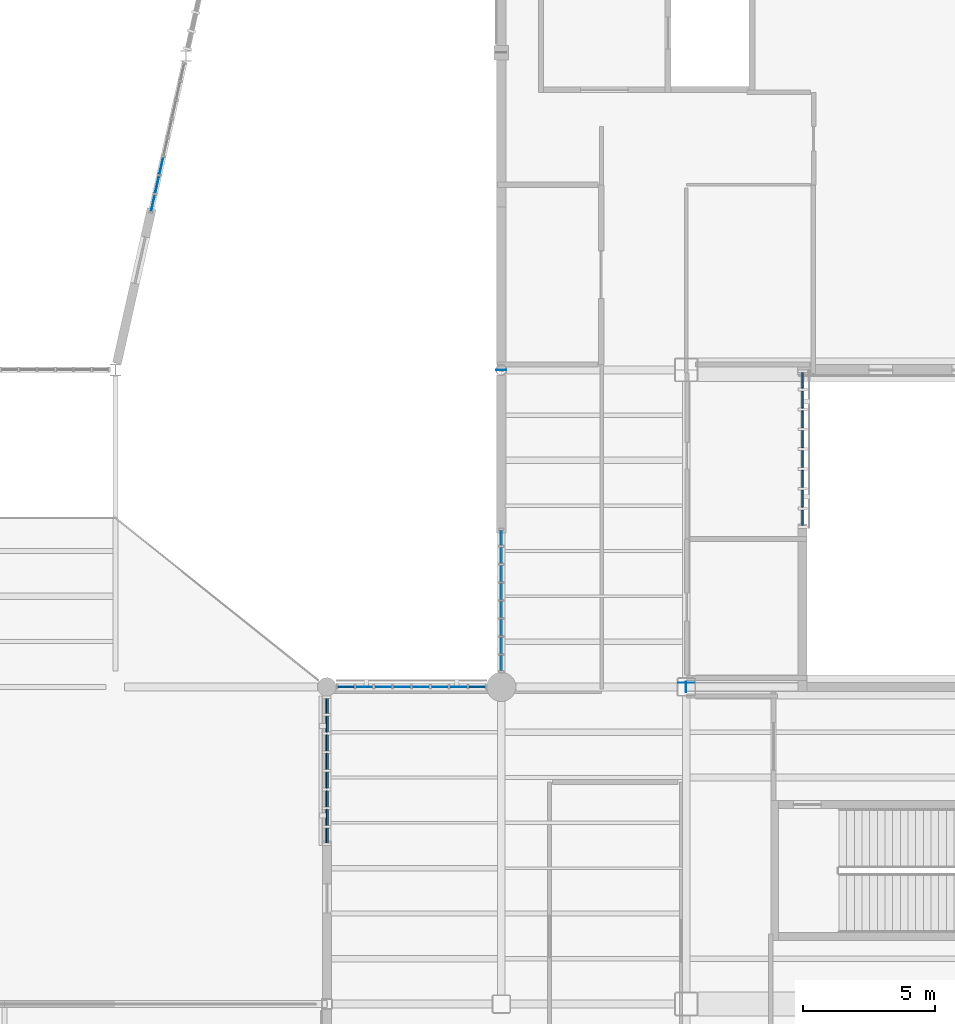
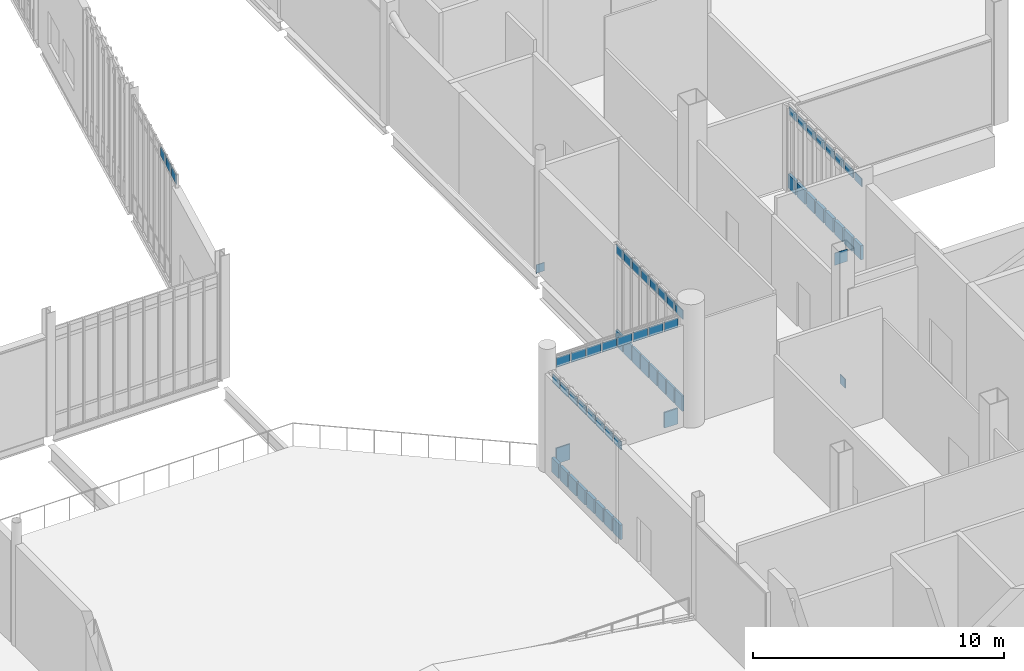
# One storey, part 92 of 135: 64 plates, 5 elements without a shape of their own.
"""IFC4 building model written with IfcOpenShell, lengths in metres."""

from ifc_helpers import new_model, si_unit, direction, frame, origin, origin_2d, place, context, subcontext, project, spatial, rectangle, extrude, material, layer, layer_set, type_object, element, aggregate, save


model = new_model("IFC4")

# Units and contexts
model_context = context("Model", 3, precision=1e-05, world=origin(), true_north=direction((0.0, 1.0)))
body_context = subcontext(model_context, "Body", "Model", "MODEL_VIEW")
ifc_project = project(units=[si_unit("LENGTHUNIT", "METRE"), si_unit("AREAUNIT", "SQUARE_METRE"), si_unit("VOLUMEUNIT", "CUBIC_METRE"), si_unit("PLANEANGLEUNIT", "RADIAN"), si_unit("MASSUNIT", "GRAM", prefix="KILO")], contexts=[model_context])

# Site, building, storey
site_placement = place(None, origin())
site = spatial("IfcSite", under=ifc_project, at=site_placement, CompositionType="ELEMENT")
building_placement = place(site_placement, origin())
building = spatial("IfcBuilding", under=site, at=building_placement, Name="Larkvane Passage Sports Hall", CompositionType="ELEMENT")
storey_placement = place(building_placement, frame((0.0, 0.0, 10.800048828125)))
storey = spatial("IfcBuildingStorey", under=building, at=storey_placement, Name="L02", CompositionType="ELEMENT", Elevation=10.800048828125)

# Curtain wall, plates
ifc_material_1 = material(Name="Thermally broken aluminium and low-E glazing", Category="aluminium")
curtain_wall_type_1 = type_object("IfcCurtainWallType", Name="CW-CLINIC", PredefinedType="USERDEFINED", material=ifc_material_1)
curtain_wall_1_placement = place(storey_placement, origin())
curtain_wall_1 = element("IfcCurtainWall", 1, at=curtain_wall_1_placement, inside=storey, type_object=curtain_wall_type_1, Name="Curtain wall CW5-L02-071", ObjectType="UNITISED CURTAIN WALL", PredefinedType="USERDEFINED")
ifc_material_2 = material(Name="Deep insulated facade spandrel panel")
ifc_layer_1 = layer(ifc_material_2, 0.125)
ifc_layer_set_1 = layer_set([ifc_layer_1], Name="Deep insulated facade spandrel panel")
plate_type_1 = type_object("IfcPlateType", Name="CWP-SPD-125", PredefinedType="CURTAIN_PANEL", material=ifc_layer_set_1)
plate_1_placement = place(storey_placement, frame((136.0, 63.197509765625, 0.10986328125), z_axis=(0.0, 0.0, 1.0), x_axis=(0.0, -1.0, 0.0)))
plate_1 = element("IfcPlate", 2, at=plate_1_placement, type_object=plate_type_1, Name="CW-05 panel 1.1", PredefinedType="CURTAIN_PANEL", context=body_context, shape_type="SweptSolid", body=[
    extrude(rectangle(XDim=0.5849609375, YDim=0.125, at=origin_2d()), origin(), (0.0, 0.0, 1.0), 0.68505859375),
])
plate_2_placement = place(storey_placement, frame((136.0, 62.47509765625, 0.10986328125), z_axis=(0.0, 0.0, 1.0), x_axis=(0.0, -1.0, 0.0)))
plate_2 = element("IfcPlate", 3, at=plate_2_placement, type_object=plate_type_1, Name="CW-05 panel 2.1", PredefinedType="CURTAIN_PANEL", context=body_context, shape_type="SweptSolid", body=[
    extrude(rectangle(XDim=0.639892578125, YDim=0.125, at=origin_2d()), origin(), (0.0, 0.0, 1.0), 0.68505859375),
])
plate_3_placement = place(storey_placement, frame((136.0, 61.72509765625, 0.10986328125), z_axis=(0.0, 0.0, 1.0), x_axis=(0.0, -1.0, 0.0)))
plate_3 = element("IfcPlate", 4, at=plate_3_placement, type_object=plate_type_1, Name="CW-05 panel 3.1", PredefinedType="CURTAIN_PANEL", context=body_context, shape_type="SweptSolid", body=[
    extrude(rectangle(XDim=0.639892578125, YDim=0.125, at=origin_2d()), origin(), (0.0, 0.0, 1.0), 0.68505859375),
])
plate_4_placement = place(storey_placement, frame((136.0, 60.97509765625, 0.10986328125), z_axis=(0.0, 0.0, 1.0), x_axis=(0.0, -1.0, 0.0)))
plate_4 = element("IfcPlate", 5, at=plate_4_placement, type_object=plate_type_1, Name="CW-05 panel 4.1", PredefinedType="CURTAIN_PANEL", context=body_context, shape_type="SweptSolid", body=[
    extrude(rectangle(XDim=0.639892578125, YDim=0.125, at=origin_2d()), origin(), (0.0, 0.0, 1.0), 0.68505859375),
])
plate_5_placement = place(storey_placement, frame((136.0, 60.22509765625, 0.10986328125), z_axis=(0.0, 0.0, 1.0), x_axis=(0.0, -1.0, 0.0)))
plate_5 = element("IfcPlate", 6, at=plate_5_placement, type_object=plate_type_1, Name="CW-05 panel 5.1", PredefinedType="CURTAIN_PANEL", context=body_context, shape_type="SweptSolid", body=[
    extrude(rectangle(XDim=0.639892578125, YDim=0.125, at=origin_2d()), origin(), (0.0, 0.0, 1.0), 0.68505859375),
])
plate_6_placement = place(storey_placement, frame((136.0, 59.47509765625, 0.10986328125), z_axis=(0.0, 0.0, 1.0), x_axis=(0.0, -1.0, 0.0)))
plate_6 = element("IfcPlate", 7, at=plate_6_placement, type_object=plate_type_1, Name="CW-05 panel 6.1", PredefinedType="CURTAIN_PANEL", context=body_context, shape_type="SweptSolid", body=[
    extrude(rectangle(XDim=0.639892578125, YDim=0.125, at=origin_2d()), origin(), (0.0, 0.0, 1.0), 0.68505859375),
])
plate_7_placement = place(storey_placement, frame((136.0, 58.72509765625, 0.10986328125), z_axis=(0.0, 0.0, 1.0), x_axis=(0.0, -1.0, 0.0)))
plate_7 = element("IfcPlate", 8, at=plate_7_placement, type_object=plate_type_1, Name="CW-05 panel 7.1", PredefinedType="CURTAIN_PANEL", context=body_context, shape_type="SweptSolid", body=[
    extrude(rectangle(XDim=0.639892578125, YDim=0.125, at=origin_2d()), origin(), (0.0, 0.0, 1.0), 0.68505859375),
])
plate_8_placement = place(storey_placement, frame((136.0, 58.00244140625, 0.10986328125), z_axis=(0.0, 0.0, 1.0), x_axis=(0.0, -1.0, 0.0)))
plate_8 = element("IfcPlate", 9, at=plate_8_placement, type_object=plate_type_1, Name="CW-05 panel 8.1", PredefinedType="CURTAIN_PANEL", context=body_context, shape_type="SweptSolid", body=[
    extrude(rectangle(XDim=0.5849609375, YDim=0.125, at=origin_2d()), origin(), (0.0, 0.0, 1.0), 0.68505859375),
])

curtain_wall_2_placement = place(storey_placement, origin())
curtain_wall_2 = element("IfcCurtainWall", 10, at=curtain_wall_2_placement, inside=storey, type_object=curtain_wall_type_1, Name="Curtain wall CW5-L02-075", ObjectType="UNITISED CURTAIN WALL", PredefinedType="USERDEFINED")
plate_9_placement = place(storey_placement, frame((118.0, 45.978271484375, 0.10009765625), z_axis=(0.0, 0.0, 1.0), x_axis=(0.0, 1.0, 0.0)))
plate_9 = element("IfcPlate", 11, at=plate_9_placement, type_object=plate_type_1, Name="CW-05 panel 1.1", PredefinedType="CURTAIN_PANEL", context=body_context, shape_type="SweptSolid", body=[
    extrude(rectangle(XDim=0.556640625, YDim=0.125, at=origin_2d()), origin(), (0.0, 0.0, 1.0), 0.699951171875),
])
plate_10_placement = place(storey_placement, frame((118.0, 46.66015625, 0.10009765625), z_axis=(0.0, 0.0, 1.0), x_axis=(0.0, 1.0, 0.0)))
plate_10 = element("IfcPlate", 12, at=plate_10_placement, type_object=plate_type_1, Name="CW-05 panel 2.1", PredefinedType="CURTAIN_PANEL", context=body_context, shape_type="SweptSolid", body=[
    extrude(rectangle(XDim=0.606689453125, YDim=0.125, at=origin_2d()), origin(), (0.0, 0.0, 1.0), 0.699951171875),
])
plate_11_placement = place(storey_placement, frame((118.0, 47.366943359375, 0.10009765625), z_axis=(0.0, 0.0, 1.0), x_axis=(0.0, 1.0, 0.0)))
plate_11 = element("IfcPlate", 13, at=plate_11_placement, type_object=plate_type_1, Name="CW-05 panel 3.1", PredefinedType="CURTAIN_PANEL", context=body_context, shape_type="SweptSolid", body=[
    extrude(rectangle(XDim=0.606689453125, YDim=0.125, at=origin_2d()), origin(), (0.0, 0.0, 1.0), 0.699951171875),
])
plate_12_placement = place(storey_placement, frame((118.0, 48.07373046875, 0.10009765625), z_axis=(0.0, 0.0, 1.0), x_axis=(0.0, 1.0, 0.0)))
plate_12 = element("IfcPlate", 14, at=plate_12_placement, type_object=plate_type_1, Name="CW-05 panel 4.1", PredefinedType="CURTAIN_PANEL", context=body_context, shape_type="SweptSolid", body=[
    extrude(rectangle(XDim=0.606689453125, YDim=0.125, at=origin_2d()), origin(), (0.0, 0.0, 1.0), 0.699951171875),
])
plate_13_placement = place(storey_placement, frame((118.0, 48.7802734375, 0.10009765625), z_axis=(0.0, 0.0, 1.0), x_axis=(0.0, 1.0, 0.0)))
plate_13 = element("IfcPlate", 15, at=plate_13_placement, type_object=plate_type_1, Name="CW-05 panel 5.1", PredefinedType="CURTAIN_PANEL", context=body_context, shape_type="SweptSolid", body=[
    extrude(rectangle(XDim=0.606689453125, YDim=0.125, at=origin_2d()), origin(), (0.0, 0.0, 1.0), 0.699951171875),
])
plate_14_placement = place(storey_placement, frame((118.0, 49.487060546875, 0.10009765625), z_axis=(0.0, 0.0, 1.0), x_axis=(0.0, 1.0, 0.0)))
plate_14 = element("IfcPlate", 16, at=plate_14_placement, type_object=plate_type_1, Name="CW-05 panel 6.1", PredefinedType="CURTAIN_PANEL", context=body_context, shape_type="SweptSolid", body=[
    extrude(rectangle(XDim=0.606689453125, YDim=0.125, at=origin_2d()), origin(), (0.0, 0.0, 1.0), 0.699951171875),
])
plate_15_placement = place(storey_placement, frame((118.0, 50.19384765625, 0.10009765625), z_axis=(0.0, 0.0, 1.0), x_axis=(0.0, 1.0, 0.0)))
plate_15 = element("IfcPlate", 17, at=plate_15_placement, type_object=plate_type_1, Name="CW-05 panel 7.1", PredefinedType="CURTAIN_PANEL", context=body_context, shape_type="SweptSolid", body=[
    extrude(rectangle(XDim=0.606689453125, YDim=0.125, at=origin_2d()), origin(), (0.0, 0.0, 1.0), 0.699951171875),
])
plate_16_placement = place(storey_placement, frame((118.0, 50.875732421875, 0.10009765625), z_axis=(0.0, 0.0, 1.0), x_axis=(0.0, 1.0, 0.0)))
plate_16 = element("IfcPlate", 18, at=plate_16_placement, type_object=plate_type_1, Name="CW-05 panel 8.1", PredefinedType="CURTAIN_PANEL", context=body_context, shape_type="SweptSolid", body=[
    extrude(rectangle(XDim=0.556640625, YDim=0.125, at=origin_2d()), origin(), (0.0, 0.0, 1.0), 0.699951171875),
])

curtain_wall_type_2 = type_object("IfcCurtainWallType", Name="CW-UNIT-COURT", PredefinedType="USERDEFINED", material=ifc_material_1)
curtain_wall_3_placement = place(storey_placement, origin())
curtain_wall_3 = element("IfcCurtainWall", 19, at=curtain_wall_3_placement, inside=storey, type_object=curtain_wall_type_2, Name="Curtain wall CW5-L02-076", ObjectType="UNITISED CURTAIN WALL", PredefinedType="USERDEFINED")
ifc_material_3 = material(Name="Insulated aluminium spandrel panel", Category="aluminium")
ifc_layer_2 = layer(ifc_material_3, 0.06494140625)
ifc_layer_set_2 = layer_set([ifc_layer_2], Name="Insulated aluminium spandrel panel")
plate_type_2 = type_object("IfcPlateType", Name="CWP-SPD-65", PredefinedType="CURTAIN_PANEL", material=ifc_layer_set_2)
plate_17_placement = place(storey_placement, frame((118.7177734375, 51.60009765625, 0.06005859375), z_axis=(0.0, 0.0, 1.0), x_axis=(1.0, 0.0, 0.0)))
plate_17 = element("IfcPlate", 20, at=plate_17_placement, type_object=plate_type_2, Name="CW-01 panel 1.1", PredefinedType="CURTAIN_PANEL", context=body_context, shape_type="SweptSolid", body=[
    extrude(rectangle(XDim=0.62353515625, YDim=0.06494140625, at=origin_2d()), origin(), (0.0, 0.0, 1.0), 0.760009765625),
])
plate_18_placement = place(storey_placement, frame((123.68212890625, 51.60009765625, 0.06005859375), z_axis=(0.0, 0.0, 1.0), x_axis=(1.0, 0.0, 0.0)))
plate_18 = element("IfcPlate", 21, at=plate_18_placement, type_object=plate_type_2, Name="CW-01 panel 8.1", PredefinedType="CURTAIN_PANEL", context=body_context, shape_type="SweptSolid", body=[
    extrude(rectangle(XDim=0.62353515625, YDim=0.06494140625, at=origin_2d()), origin(), (0.0, 0.0, 1.0), 0.760009765625),
])

curtain_wall_type_3 = type_object("IfcCurtainWallType", Name="CW-UNIT-VEIL", PredefinedType="USERDEFINED", material=ifc_material_1)
curtain_wall_4_placement = place(storey_placement, origin())
curtain_wall_4 = element("IfcCurtainWall", 22, at=curtain_wall_4_placement, inside=storey, type_object=curtain_wall_type_3, Name="Curtain wall CW5-L02-077", ObjectType="UNITISED CURTAIN WALL", PredefinedType="USERDEFINED")
ifc_material_4 = material(Name="Mineral-wool insulated spandrel cassette")
ifc_layer_3 = layer(ifc_material_4, 0.0849609375)
ifc_layer_set_3 = layer_set([ifc_layer_3], Name="Mineral-wool insulated spandrel cassette")
plate_type_3 = type_object("IfcPlateType", Name="CWP-SPD-85", PredefinedType="CURTAIN_PANEL", material=ifc_layer_set_3)
plate_19_placement = place(storey_placement, frame((124.60009765625, 52.50439453125, 0.06982421875), z_axis=(0.0, 0.0, 1.0), x_axis=(0.0, 1.0, 0.0)))
plate_19 = element("IfcPlate", 23, at=plate_19_placement, type_object=plate_type_3, Name="CW-02 panel 1.1", PredefinedType="CURTAIN_PANEL", context=body_context, shape_type="SweptSolid", body=[
    extrude(rectangle(XDim=0.57666015625, YDim=0.0849609375, at=origin_2d()), origin(), (0.0, 0.0, 1.0), 0.7451171875),
])
plate_20_placement = place(storey_placement, frame((124.60009765625, 53.168701171875, 0.06982421875), z_axis=(0.0, 0.0, 1.0), x_axis=(0.0, 1.0, 0.0)))
plate_20 = element("IfcPlate", 24, at=plate_20_placement, type_object=plate_type_3, Name="CW-02 panel 2.1", PredefinedType="CURTAIN_PANEL", context=body_context, shape_type="SweptSolid", body=[
    extrude(rectangle(XDim=0.61181640625, YDim=0.0849609375, at=origin_2d()), origin(), (0.0, 0.0, 1.0), 0.7451171875),
])
plate_21_placement = place(storey_placement, frame((124.60009765625, 53.850341796875, 0.06982421875), z_axis=(0.0, 0.0, 1.0), x_axis=(0.0, 1.0, 0.0)))
plate_21 = element("IfcPlate", 25, at=plate_21_placement, type_object=plate_type_3, Name="CW-02 panel 3.1", PredefinedType="CURTAIN_PANEL", context=body_context, shape_type="SweptSolid", body=[
    extrude(rectangle(XDim=0.61181640625, YDim=0.0849609375, at=origin_2d()), origin(), (0.0, 0.0, 1.0), 0.7451171875),
])
plate_22_placement = place(storey_placement, frame((124.60009765625, 54.5322265625, 0.06982421875), z_axis=(0.0, 0.0, 1.0), x_axis=(0.0, 1.0, 0.0)))
plate_22 = element("IfcPlate", 26, at=plate_22_placement, type_object=plate_type_3, Name="CW-02 panel 4.1", PredefinedType="CURTAIN_PANEL", context=body_context, shape_type="SweptSolid", body=[
    extrude(rectangle(XDim=0.61181640625, YDim=0.0849609375, at=origin_2d()), origin(), (0.0, 0.0, 1.0), 0.7451171875),
])
plate_23_placement = place(storey_placement, frame((124.60009765625, 55.2138671875, 0.06982421875), z_axis=(0.0, 0.0, 1.0), x_axis=(0.0, 1.0, 0.0)))
plate_23 = element("IfcPlate", 27, at=plate_23_placement, type_object=plate_type_3, Name="CW-02 panel 5.1", PredefinedType="CURTAIN_PANEL", context=body_context, shape_type="SweptSolid", body=[
    extrude(rectangle(XDim=0.61181640625, YDim=0.0849609375, at=origin_2d()), origin(), (0.0, 0.0, 1.0), 0.7451171875),
])
plate_24_placement = place(storey_placement, frame((124.60009765625, 55.8955078125, 0.06982421875), z_axis=(0.0, 0.0, 1.0), x_axis=(0.0, 1.0, 0.0)))
plate_24 = element("IfcPlate", 28, at=plate_24_placement, type_object=plate_type_3, Name="CW-02 panel 6.1", PredefinedType="CURTAIN_PANEL", context=body_context, shape_type="SweptSolid", body=[
    extrude(rectangle(XDim=0.61181640625, YDim=0.0849609375, at=origin_2d()), origin(), (0.0, 0.0, 1.0), 0.7451171875),
])
plate_25_placement = place(storey_placement, frame((124.60009765625, 56.577392578125, 0.06982421875), z_axis=(0.0, 0.0, 1.0), x_axis=(0.0, 1.0, 0.0)))
plate_25 = element("IfcPlate", 29, at=plate_25_placement, type_object=plate_type_3, Name="CW-02 panel 7.1", PredefinedType="CURTAIN_PANEL", context=body_context, shape_type="SweptSolid", body=[
    extrude(rectangle(XDim=0.61181640625, YDim=0.0849609375, at=origin_2d()), origin(), (0.0, 0.0, 1.0), 0.7451171875),
])
plate_26_placement = place(storey_placement, frame((124.60009765625, 57.24169921875, 0.06982421875), z_axis=(0.0, 0.0, 1.0), x_axis=(0.0, 1.0, 0.0)))
plate_26 = element("IfcPlate", 30, at=plate_26_placement, type_object=plate_type_3, Name="CW-02 panel 8.1", PredefinedType="CURTAIN_PANEL", context=body_context, shape_type="SweptSolid", body=[
    extrude(rectangle(XDim=0.57666015625, YDim=0.0849609375, at=origin_2d()), origin(), (0.0, 0.0, 1.0), 0.7451171875),
])

# Plate
ifc_material_5 = material(Name="Solar-control low-E double glazing", Category="glass")
ifc_layer_4 = layer(ifc_material_5, 0.028076171875)
ifc_layer_set_4 = layer_set([ifc_layer_4], Name="Solar-control low-E double glazing")
plate_type_4 = type_object("IfcPlateType", Name="CWP-VIS-28", PredefinedType="CURTAIN_PANEL", material=ifc_layer_set_4)
plate_27_placement = place(storey_placement, frame((118.7177734375, 51.60009765625, 4.738037109375), z_axis=(0.0, 0.0, 1.0), x_axis=(1.0, 0.0, 0.0)))
plate_27 = element("IfcPlate", 31, at=plate_27_placement, type_object=plate_type_4, Name="CW-01 panel 1.3", PredefinedType="CURTAIN_PANEL", context=body_context, shape_type="SweptSolid", body=[
    extrude(rectangle(XDim=0.62353515625, YDim=0.028076171875, at=origin_2d()), origin(), (0.0, 0.0, 1.0), 0.4599609375),
])

plate_28_placement = place(storey_placement, frame((119.416259765625, 51.60009765625, 4.738037109375), z_axis=(0.0, 0.0, 1.0), x_axis=(1.0, 0.0, 0.0)))
plate_28 = element("IfcPlate", 32, at=plate_28_placement, type_object=plate_type_4, Name="CW-01 panel 2.3", PredefinedType="CURTAIN_PANEL", context=body_context, shape_type="SweptSolid", body=[
    extrude(rectangle(XDim=0.653564453125, YDim=0.028076171875, at=origin_2d()), origin(), (0.0, 0.0, 1.0), 0.4599609375),
])

plate_29_placement = place(storey_placement, frame((120.129638671875, 51.60009765625, 4.738037109375), z_axis=(0.0, 0.0, 1.0), x_axis=(1.0, 0.0, 0.0)))
plate_29 = element("IfcPlate", 33, at=plate_29_placement, type_object=plate_type_4, Name="CW-01 panel 3.3", PredefinedType="CURTAIN_PANEL", context=body_context, shape_type="SweptSolid", body=[
    extrude(rectangle(XDim=0.653564453125, YDim=0.028076171875, at=origin_2d()), origin(), (0.0, 0.0, 1.0), 0.4599609375),
])

plate_30_placement = place(storey_placement, frame((120.84326171875, 51.60009765625, 4.738037109375), z_axis=(0.0, 0.0, 1.0), x_axis=(1.0, 0.0, 0.0)))
plate_30 = element("IfcPlate", 34, at=plate_30_placement, type_object=plate_type_4, Name="CW-01 panel 4.3", PredefinedType="CURTAIN_PANEL", context=body_context, shape_type="SweptSolid", body=[
    extrude(rectangle(XDim=0.653564453125, YDim=0.028076171875, at=origin_2d()), origin(), (0.0, 0.0, 1.0), 0.4599609375),
])

plate_31_placement = place(storey_placement, frame((121.556640625, 51.60009765625, 4.738037109375), z_axis=(0.0, 0.0, 1.0), x_axis=(1.0, 0.0, 0.0)))
plate_31 = element("IfcPlate", 35, at=plate_31_placement, type_object=plate_type_4, Name="CW-01 panel 5.3", PredefinedType="CURTAIN_PANEL", context=body_context, shape_type="SweptSolid", body=[
    extrude(rectangle(XDim=0.653564453125, YDim=0.028076171875, at=origin_2d()), origin(), (0.0, 0.0, 1.0), 0.4599609375),
])

plate_32_placement = place(storey_placement, frame((122.270263671875, 51.60009765625, 4.738037109375), z_axis=(0.0, 0.0, 1.0), x_axis=(1.0, 0.0, 0.0)))
plate_32 = element("IfcPlate", 36, at=plate_32_placement, type_object=plate_type_4, Name="CW-01 panel 6.3", PredefinedType="CURTAIN_PANEL", context=body_context, shape_type="SweptSolid", body=[
    extrude(rectangle(XDim=0.653564453125, YDim=0.028076171875, at=origin_2d()), origin(), (0.0, 0.0, 1.0), 0.4599609375),
])

plate_33_placement = place(storey_placement, frame((122.983642578125, 51.60009765625, 4.738037109375), z_axis=(0.0, 0.0, 1.0), x_axis=(1.0, 0.0, 0.0)))
plate_33 = element("IfcPlate", 37, at=plate_33_placement, type_object=plate_type_4, Name="CW-01 panel 7.3", PredefinedType="CURTAIN_PANEL", context=body_context, shape_type="SweptSolid", body=[
    extrude(rectangle(XDim=0.653564453125, YDim=0.028076171875, at=origin_2d()), origin(), (0.0, 0.0, 1.0), 0.4599609375),
])

plate_34_placement = place(storey_placement, frame((123.68212890625, 51.60009765625, 4.738037109375), z_axis=(0.0, 0.0, 1.0), x_axis=(1.0, 0.0, 0.0)))
plate_34 = element("IfcPlate", 38, at=plate_34_placement, type_object=plate_type_4, Name="CW-01 panel 8.3", PredefinedType="CURTAIN_PANEL", context=body_context, shape_type="SweptSolid", body=[
    extrude(rectangle(XDim=0.62353515625, YDim=0.028076171875, at=origin_2d()), origin(), (0.0, 0.0, 1.0), 0.4599609375),
])

aggregate(curtain_wall_3, [plate_17, plate_27, plate_28, plate_29, plate_30, plate_31, plate_32, plate_33, plate_18, plate_34])

# Curtain wall, plates
curtain_wall_5_placement = place(storey_placement, origin())
curtain_wall_5 = element("IfcCurtainWall", 39, at=curtain_wall_5_placement, inside=storey, type_object=curtain_wall_type_2, Name="Curtain wall CW5-L02-084", ObjectType="UNITISED CURTAIN WALL", PredefinedType="USERDEFINED")
plate_35_placement = place(storey_placement, frame((111.734375, 71.318359375, 5.179931640625), z_axis=(0.0, 0.0, 1.0), x_axis=(-0.219243647747, -0.975670140428, 0.0)))
plate_35 = element("IfcPlate", 40, at=plate_35_placement, type_object=plate_type_4, Name="CW-01 panel 6.3", PredefinedType="CURTAIN_PANEL", context=body_context, shape_type="SweptSolid", body=[
    extrude(rectangle(XDim=0.671142578125, YDim=0.028076171875, at=origin_2d()), origin(), (0.0, 0.0, 1.0), 0.4599609375),
])
plate_36_placement = place(storey_placement, frame((111.57421875, 70.605224609375, 5.179931640625), z_axis=(0.0, 0.0, 1.0), x_axis=(-0.219243647747, -0.975670140428, 0.0)))
plate_36 = element("IfcPlate", 41, at=plate_36_placement, type_object=plate_type_4, Name="CW-01 panel 7.3", PredefinedType="CURTAIN_PANEL", context=body_context, shape_type="SweptSolid", body=[
    extrude(rectangle(XDim=0.671142578125, YDim=0.028076171875, at=origin_2d()), origin(), (0.0, 0.0, 1.0), 0.4599609375),
])
plate_37_placement = place(storey_placement, frame((111.417236328125, 69.906494140625, 5.179931640625), z_axis=(0.0, 0.0, 1.0), x_axis=(-0.219243647747, -0.975670140428, 0.0)))
plate_37 = element("IfcPlate", 42, at=plate_37_placement, type_object=plate_type_4, Name="CW-01 panel 8.3", PredefinedType="CURTAIN_PANEL", context=body_context, shape_type="SweptSolid", body=[
    extrude(rectangle(XDim=0.64111328125, YDim=0.028076171875, at=origin_2d()), origin(), (0.0, 0.0, 1.0), 0.4599609375),
])
aggregate(curtain_wall_5, [plate_35, plate_36, plate_37])

# Plate
ifc_material_6 = material(Name="Laminated acoustic low-E glazing", Category="glass")
ifc_layer_5 = layer(ifc_material_6, 0.031982421875)
ifc_layer_set_5 = layer_set([ifc_layer_5], Name="Laminated acoustic low-E glazing")
plate_type_5 = type_object("IfcPlateType", Name="CWP-VIS-32", PredefinedType="CURTAIN_PANEL", material=ifc_layer_set_5)
plate_38_placement = place(storey_placement, frame((124.60009765625, 52.50439453125, 4.53271484375), z_axis=(0.0, 0.0, 1.0), x_axis=(0.0, 1.0, 0.0)))
plate_38 = element("IfcPlate", 43, at=plate_38_placement, type_object=plate_type_5, Name="CW-02 panel 1.3", PredefinedType="CURTAIN_PANEL", context=body_context, shape_type="SweptSolid", body=[
    extrude(rectangle(XDim=0.57666015625, YDim=0.031982421875, at=origin_2d()), origin(), (0.0, 0.0, 1.0), 0.445068359375),
])

plate_39_placement = place(storey_placement, frame((124.60009765625, 53.168701171875, 4.53271484375), z_axis=(0.0, 0.0, 1.0), x_axis=(0.0, 1.0, 0.0)))
plate_39 = element("IfcPlate", 44, at=plate_39_placement, type_object=plate_type_5, Name="CW-02 panel 2.3", PredefinedType="CURTAIN_PANEL", context=body_context, shape_type="SweptSolid", body=[
    extrude(rectangle(XDim=0.61181640625, YDim=0.031982421875, at=origin_2d()), origin(), (0.0, 0.0, 1.0), 0.445068359375),
])

plate_40_placement = place(storey_placement, frame((124.60009765625, 53.850341796875, 4.53271484375), z_axis=(0.0, 0.0, 1.0), x_axis=(0.0, 1.0, 0.0)))
plate_40 = element("IfcPlate", 45, at=plate_40_placement, type_object=plate_type_5, Name="CW-02 panel 3.3", PredefinedType="CURTAIN_PANEL", context=body_context, shape_type="SweptSolid", body=[
    extrude(rectangle(XDim=0.61181640625, YDim=0.031982421875, at=origin_2d()), origin(), (0.0, 0.0, 1.0), 0.445068359375),
])

plate_41_placement = place(storey_placement, frame((124.60009765625, 54.5322265625, 4.53271484375), z_axis=(0.0, 0.0, 1.0), x_axis=(0.0, 1.0, 0.0)))
plate_41 = element("IfcPlate", 46, at=plate_41_placement, type_object=plate_type_5, Name="CW-02 panel 4.3", PredefinedType="CURTAIN_PANEL", context=body_context, shape_type="SweptSolid", body=[
    extrude(rectangle(XDim=0.61181640625, YDim=0.031982421875, at=origin_2d()), origin(), (0.0, 0.0, 1.0), 0.445068359375),
])

plate_42_placement = place(storey_placement, frame((124.60009765625, 55.2138671875, 4.53271484375), z_axis=(0.0, 0.0, 1.0), x_axis=(0.0, 1.0, 0.0)))
plate_42 = element("IfcPlate", 47, at=plate_42_placement, type_object=plate_type_5, Name="CW-02 panel 5.3", PredefinedType="CURTAIN_PANEL", context=body_context, shape_type="SweptSolid", body=[
    extrude(rectangle(XDim=0.61181640625, YDim=0.031982421875, at=origin_2d()), origin(), (0.0, 0.0, 1.0), 0.445068359375),
])

plate_43_placement = place(storey_placement, frame((124.60009765625, 55.8955078125, 4.53271484375), z_axis=(0.0, 0.0, 1.0), x_axis=(0.0, 1.0, 0.0)))
plate_43 = element("IfcPlate", 48, at=plate_43_placement, type_object=plate_type_5, Name="CW-02 panel 6.3", PredefinedType="CURTAIN_PANEL", context=body_context, shape_type="SweptSolid", body=[
    extrude(rectangle(XDim=0.61181640625, YDim=0.031982421875, at=origin_2d()), origin(), (0.0, 0.0, 1.0), 0.445068359375),
])

plate_44_placement = place(storey_placement, frame((124.60009765625, 56.577392578125, 4.53271484375), z_axis=(0.0, 0.0, 1.0), x_axis=(0.0, 1.0, 0.0)))
plate_44 = element("IfcPlate", 49, at=plate_44_placement, type_object=plate_type_5, Name="CW-02 panel 7.3", PredefinedType="CURTAIN_PANEL", context=body_context, shape_type="SweptSolid", body=[
    extrude(rectangle(XDim=0.61181640625, YDim=0.031982421875, at=origin_2d()), origin(), (0.0, 0.0, 1.0), 0.445068359375),
])

plate_45_placement = place(storey_placement, frame((124.60009765625, 57.24169921875, 4.53271484375), z_axis=(0.0, 0.0, 1.0), x_axis=(0.0, 1.0, 0.0)))
plate_45 = element("IfcPlate", 50, at=plate_45_placement, type_object=plate_type_5, Name="CW-02 panel 8.3", PredefinedType="CURTAIN_PANEL", context=body_context, shape_type="SweptSolid", body=[
    extrude(rectangle(XDim=0.57666015625, YDim=0.031982421875, at=origin_2d()), origin(), (0.0, 0.0, 1.0), 0.445068359375),
])

aggregate(curtain_wall_4, [plate_19, plate_38, plate_20, plate_39, plate_21, plate_40, plate_22, plate_41, plate_23, plate_42, plate_24, plate_43, plate_25, plate_44, plate_26, plate_45])

ifc_material_7 = material(Name="Triple-laminated typhoon glazing", Category="glass")
ifc_layer_6 = layer(ifc_material_7, 0.0419921875)
ifc_layer_set_6 = layer_set([ifc_layer_6], Name="Triple-laminated typhoon glazing")
plate_type_6 = type_object("IfcPlateType", Name="CWP-VIS-42", PredefinedType="CURTAIN_PANEL", material=ifc_layer_set_6)
plate_46_placement = place(storey_placement, frame((136.0, 63.197509765625, 3.65283203125), z_axis=(0.0, 0.0, 1.0), x_axis=(0.0, -1.0, 0.0)))
plate_46 = element("IfcPlate", 51, at=plate_46_placement, type_object=plate_type_6, Name="CW-05 panel 1.3", PredefinedType="CURTAIN_PANEL", context=body_context, shape_type="SweptSolid", body=[
    extrude(rectangle(XDim=0.5849609375, YDim=0.0419921875, at=origin_2d()), origin(), (0.0, 0.0, 1.0), 0.385009765625),
])

plate_47_placement = place(storey_placement, frame((136.0, 62.47509765625, 3.65283203125), z_axis=(0.0, 0.0, 1.0), x_axis=(0.0, -1.0, 0.0)))
plate_47 = element("IfcPlate", 52, at=plate_47_placement, type_object=plate_type_6, Name="CW-05 panel 2.3", PredefinedType="CURTAIN_PANEL", context=body_context, shape_type="SweptSolid", body=[
    extrude(rectangle(XDim=0.639892578125, YDim=0.0419921875, at=origin_2d()), origin(), (0.0, 0.0, 1.0), 0.385009765625),
])

plate_48_placement = place(storey_placement, frame((136.0, 61.72509765625, 3.65283203125), z_axis=(0.0, 0.0, 1.0), x_axis=(0.0, -1.0, 0.0)))
plate_48 = element("IfcPlate", 53, at=plate_48_placement, type_object=plate_type_6, Name="CW-05 panel 3.3", PredefinedType="CURTAIN_PANEL", context=body_context, shape_type="SweptSolid", body=[
    extrude(rectangle(XDim=0.639892578125, YDim=0.0419921875, at=origin_2d()), origin(), (0.0, 0.0, 1.0), 0.385009765625),
])

plate_49_placement = place(storey_placement, frame((136.0, 60.97509765625, 3.65283203125), z_axis=(0.0, 0.0, 1.0), x_axis=(0.0, -1.0, 0.0)))
plate_49 = element("IfcPlate", 54, at=plate_49_placement, type_object=plate_type_6, Name="CW-05 panel 4.3", PredefinedType="CURTAIN_PANEL", context=body_context, shape_type="SweptSolid", body=[
    extrude(rectangle(XDim=0.639892578125, YDim=0.0419921875, at=origin_2d()), origin(), (0.0, 0.0, 1.0), 0.385009765625),
])

plate_50_placement = place(storey_placement, frame((136.0, 60.22509765625, 3.65283203125), z_axis=(0.0, 0.0, 1.0), x_axis=(0.0, -1.0, 0.0)))
plate_50 = element("IfcPlate", 55, at=plate_50_placement, type_object=plate_type_6, Name="CW-05 panel 5.3", PredefinedType="CURTAIN_PANEL", context=body_context, shape_type="SweptSolid", body=[
    extrude(rectangle(XDim=0.639892578125, YDim=0.0419921875, at=origin_2d()), origin(), (0.0, 0.0, 1.0), 0.385009765625),
])

plate_51_placement = place(storey_placement, frame((136.0, 59.47509765625, 3.65283203125), z_axis=(0.0, 0.0, 1.0), x_axis=(0.0, -1.0, 0.0)))
plate_51 = element("IfcPlate", 56, at=plate_51_placement, type_object=plate_type_6, Name="CW-05 panel 6.3", PredefinedType="CURTAIN_PANEL", context=body_context, shape_type="SweptSolid", body=[
    extrude(rectangle(XDim=0.639892578125, YDim=0.0419921875, at=origin_2d()), origin(), (0.0, 0.0, 1.0), 0.385009765625),
])

plate_52_placement = place(storey_placement, frame((136.0, 58.72509765625, 3.65283203125), z_axis=(0.0, 0.0, 1.0), x_axis=(0.0, -1.0, 0.0)))
plate_52 = element("IfcPlate", 57, at=plate_52_placement, type_object=plate_type_6, Name="CW-05 panel 7.3", PredefinedType="CURTAIN_PANEL", context=body_context, shape_type="SweptSolid", body=[
    extrude(rectangle(XDim=0.639892578125, YDim=0.0419921875, at=origin_2d()), origin(), (0.0, 0.0, 1.0), 0.385009765625),
])

plate_53_placement = place(storey_placement, frame((136.0, 58.00244140625, 3.65283203125), z_axis=(0.0, 0.0, 1.0), x_axis=(0.0, -1.0, 0.0)))
plate_53 = element("IfcPlate", 58, at=plate_53_placement, type_object=plate_type_6, Name="CW-05 panel 8.3", PredefinedType="CURTAIN_PANEL", context=body_context, shape_type="SweptSolid", body=[
    extrude(rectangle(XDim=0.5849609375, YDim=0.0419921875, at=origin_2d()), origin(), (0.0, 0.0, 1.0), 0.385009765625),
])

aggregate(curtain_wall_1, [plate_1, plate_46, plate_2, plate_47, plate_3, plate_48, plate_4, plate_49, plate_5, plate_50, plate_6, plate_51, plate_7, plate_52, plate_8, plate_53])

plate_54_placement = place(storey_placement, frame((118.0, 45.978271484375, 4.447998046875), z_axis=(0.0, 0.0, 1.0), x_axis=(0.0, 1.0, 0.0)))
plate_54 = element("IfcPlate", 59, at=plate_54_placement, type_object=plate_type_6, Name="CW-05 panel 1.3", PredefinedType="CURTAIN_PANEL", context=body_context, shape_type="SweptSolid", body=[
    extrude(rectangle(XDim=0.556640625, YDim=0.0419921875, at=origin_2d()), origin(), (0.0, 0.0, 1.0), 0.39990234375),
])

plate_55_placement = place(storey_placement, frame((118.0, 46.66015625, 4.447998046875), z_axis=(0.0, 0.0, 1.0), x_axis=(0.0, 1.0, 0.0)))
plate_55 = element("IfcPlate", 60, at=plate_55_placement, type_object=plate_type_6, Name="CW-05 panel 2.3", PredefinedType="CURTAIN_PANEL", context=body_context, shape_type="SweptSolid", body=[
    extrude(rectangle(XDim=0.606689453125, YDim=0.0419921875, at=origin_2d()), origin(), (0.0, 0.0, 1.0), 0.39990234375),
])

plate_56_placement = place(storey_placement, frame((118.0, 47.366943359375, 4.447998046875), z_axis=(0.0, 0.0, 1.0), x_axis=(0.0, 1.0, 0.0)))
plate_56 = element("IfcPlate", 61, at=plate_56_placement, type_object=plate_type_6, Name="CW-05 panel 3.3", PredefinedType="CURTAIN_PANEL", context=body_context, shape_type="SweptSolid", body=[
    extrude(rectangle(XDim=0.606689453125, YDim=0.0419921875, at=origin_2d()), origin(), (0.0, 0.0, 1.0), 0.39990234375),
])

plate_57_placement = place(storey_placement, frame((118.0, 48.07373046875, 4.447998046875), z_axis=(0.0, 0.0, 1.0), x_axis=(0.0, 1.0, 0.0)))
plate_57 = element("IfcPlate", 62, at=plate_57_placement, type_object=plate_type_6, Name="CW-05 panel 4.3", PredefinedType="CURTAIN_PANEL", context=body_context, shape_type="SweptSolid", body=[
    extrude(rectangle(XDim=0.606689453125, YDim=0.0419921875, at=origin_2d()), origin(), (0.0, 0.0, 1.0), 0.39990234375),
])

plate_58_placement = place(storey_placement, frame((118.0, 48.7802734375, 4.447998046875), z_axis=(0.0, 0.0, 1.0), x_axis=(0.0, 1.0, 0.0)))
plate_58 = element("IfcPlate", 63, at=plate_58_placement, type_object=plate_type_6, Name="CW-05 panel 5.3", PredefinedType="CURTAIN_PANEL", context=body_context, shape_type="SweptSolid", body=[
    extrude(rectangle(XDim=0.606689453125, YDim=0.0419921875, at=origin_2d()), origin(), (0.0, 0.0, 1.0), 0.39990234375),
])

plate_59_placement = place(storey_placement, frame((118.0, 49.487060546875, 4.447998046875), z_axis=(0.0, 0.0, 1.0), x_axis=(0.0, 1.0, 0.0)))
plate_59 = element("IfcPlate", 64, at=plate_59_placement, type_object=plate_type_6, Name="CW-05 panel 6.3", PredefinedType="CURTAIN_PANEL", context=body_context, shape_type="SweptSolid", body=[
    extrude(rectangle(XDim=0.606689453125, YDim=0.0419921875, at=origin_2d()), origin(), (0.0, 0.0, 1.0), 0.39990234375),
])

plate_60_placement = place(storey_placement, frame((118.0, 50.19384765625, 4.447998046875), z_axis=(0.0, 0.0, 1.0), x_axis=(0.0, 1.0, 0.0)))
plate_60 = element("IfcPlate", 65, at=plate_60_placement, type_object=plate_type_6, Name="CW-05 panel 7.3", PredefinedType="CURTAIN_PANEL", context=body_context, shape_type="SweptSolid", body=[
    extrude(rectangle(XDim=0.606689453125, YDim=0.0419921875, at=origin_2d()), origin(), (0.0, 0.0, 1.0), 0.39990234375),
])

plate_61_placement = place(storey_placement, frame((118.0, 50.875732421875, 4.447998046875), z_axis=(0.0, 0.0, 1.0), x_axis=(0.0, 1.0, 0.0)))
plate_61 = element("IfcPlate", 66, at=plate_61_placement, type_object=plate_type_6, Name="CW-05 panel 8.3", PredefinedType="CURTAIN_PANEL", context=body_context, shape_type="SweptSolid", body=[
    extrude(rectangle(XDim=0.556640625, YDim=0.0419921875, at=origin_2d()), origin(), (0.0, 0.0, 1.0), 0.39990234375),
])

aggregate(curtain_wall_2, [plate_9, plate_54, plate_10, plate_55, plate_11, plate_56, plate_12, plate_57, plate_13, plate_58, plate_14, plate_59, plate_15, plate_60, plate_16, plate_61])

# Plates
ifc_material_8 = material(Name="Steel S460N", Category="steel")
ifc_layer_7 = layer(ifc_material_8, 0.02001953125)
ifc_layer_set_7 = layer_set([ifc_layer_7], Name="Steel S460N")
plate_type_7 = type_object("IfcPlateType", Name="PLT-CAP-20", PredefinedType="SHEET", material=ifc_layer_set_7)
plate_62_placement = place(storey_placement, frame((131.5908203125, 51.60009765625, -0.767822265625), z_axis=(0.0, 0.0, 1.0), x_axis=(0.0, 1.0, 0.0)))
element("IfcPlate", 67, at=plate_62_placement, inside=storey, type_object=plate_type_7, Name="Hollow section sealed end cap plate 0173", PredefinedType="SHEET", context=body_context, shape_type="SweptSolid", body=[
    extrude(rectangle(XDim=0.409912109375, YDim=0.028076171875, at=origin_2d()), origin(), (0.0, 0.0, 1.0), 0.43994140625),
])
plate_63_placement = place(storey_placement, frame((124.60009765625, 63.5908203125, -0.05810546875), z_axis=(0.0, 0.0, 1.0), x_axis=(-1.0, 0.0, 0.0)))
element("IfcPlate", 68, at=plate_63_placement, inside=storey, type_object=plate_type_7, Name="Hollow section sealed end cap plate 0591", PredefinedType="SHEET", context=body_context, shape_type="SweptSolid", body=[
    extrude(rectangle(XDim=0.37890625, YDim=0.028076171875, at=origin_2d()), origin(), (0.0, 0.0, 1.0), 0.407958984375),
])
ifc_layer_8 = layer(ifc_material_8, 0.01611328125)
ifc_layer_set_8 = layer_set([ifc_layer_8], Name="Steel S460N")
plate_type_8 = type_object("IfcPlateType", Name="PLT-GUS-16", PredefinedType="USERDEFINED", material=ifc_layer_set_8)
plate_64_placement = place(storey_placement, frame((131.60009765625, 51.758056640625, 5.0859375), z_axis=(0.0, 0.0, 1.0), x_axis=(1.0, 0.0, 0.0)))
element("IfcPlate", 69, at=plate_64_placement, inside=storey, type_object=plate_type_8, Name="Truss node gusset plate ND-1T (CT-E2A-2)", ObjectType="GUSSET PLATE", PredefinedType="USERDEFINED", context=body_context, shape_type="SweptSolid", body=[
    extrude(rectangle(XDim=0.60009765625, YDim=0.01611328125, at=origin_2d()), origin(), (0.0, 0.0, 1.0), 0.60009765625),
])

save(model, "model.ifc")
